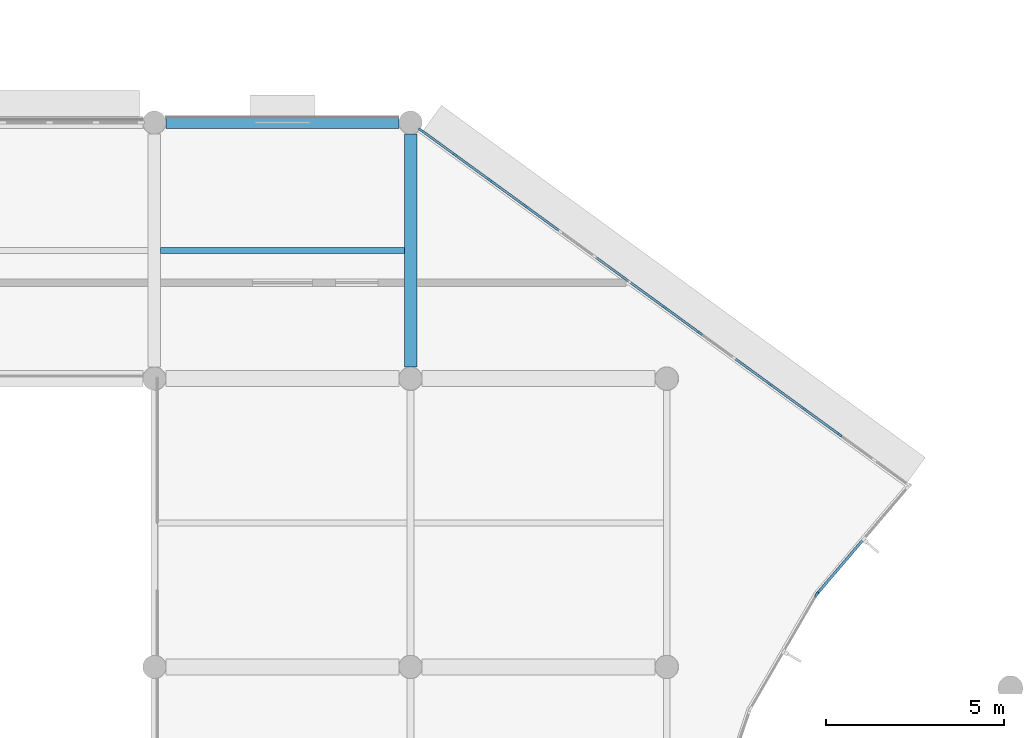
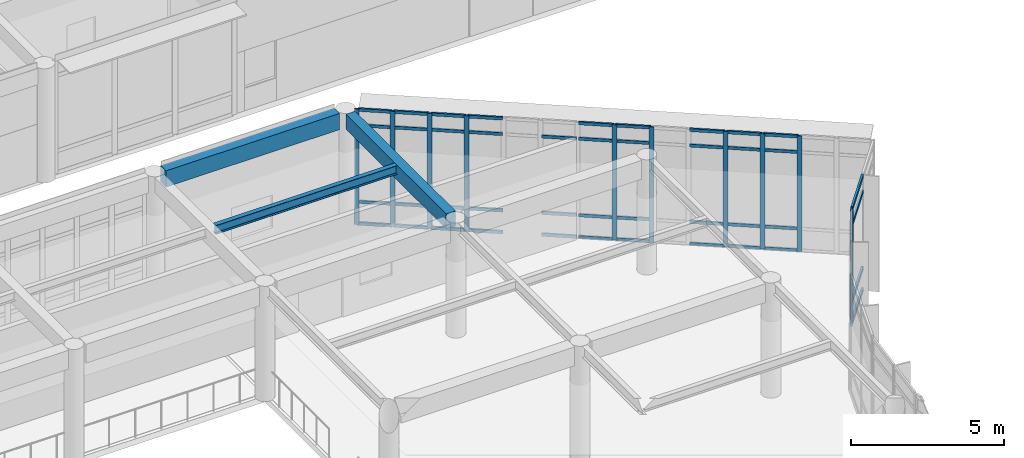
# One storey, part 19 of 92: 54 members, 3 beams, 3 elements without a shape of their own.
"""IFC4 building model written with IfcOpenShell, lengths in metres."""

from ifc_helpers import new_model, si_unit, direction, frame, origin, origin_2d, place, context, subcontext, project, spatial, rectangle, i_section, extrude, material, layer, layer_set, material_profile, profile_set, type_object, element, aggregate, save


model = new_model("IFC4")

# Units and contexts
model_context = context("Model", 3, precision=1e-05, world=origin(), true_north=direction((0.0, 1.0)))
body_context = subcontext(model_context, "Body", "Model", "MODEL_VIEW")
ifc_project = project(units=[si_unit("LENGTHUNIT", "METRE"), si_unit("AREAUNIT", "SQUARE_METRE"), si_unit("VOLUMEUNIT", "CUBIC_METRE"), si_unit("PLANEANGLEUNIT", "RADIAN"), si_unit("MASSUNIT", "GRAM", prefix="KILO")], contexts=[model_context])

# Site, building, storey
site_placement = place(None, origin())
site = spatial("IfcSite", under=ifc_project, at=site_placement, CompositionType="ELEMENT")
building_placement = place(site_placement, origin())
building = spatial("IfcBuilding", under=site, at=building_placement, Name="Namkhue Oval Health Centre", CompositionType="ELEMENT")
storey_placement = place(building_placement, frame((0.0, 0.0, 4.800048828125)))
storey = spatial("IfcBuildingStorey", under=building, at=storey_placement, Name="L01", CompositionType="ELEMENT", Elevation=4.800048828125)

# Curtain wall, member
ifc_material_1 = material(Name="Anodised aluminium EN AW-6063 T6", Category="aluminium")
ifc_layer_1 = layer(ifc_material_1, 0.159912109375)
ifc_layer_set_1 = layer_set([ifc_layer_1], Name="Anodised aluminium EN AW-6063 T6")
curtain_wall_type_1 = type_object("IfcCurtainWallType", Name="UNITISED CURTAIN WALL M1800", PredefinedType="NOTDEFINED", material=ifc_layer_set_1)
curtain_wall_1_placement = place(storey_placement, origin())
curtain_wall_1 = element("IfcCurtainWall", 1, at=curtain_wall_1_placement, inside=storey, type_object=curtain_wall_type_1, Name="Volume V1 L01 Unitised Curtain Wall 29", PredefinedType="NOTDEFINED")
ifc_material_profile_1 = material_profile(ifc_material_1, rectangle(XDim=0.06494140625, YDim=0.159912109375, at=origin_2d()), Name="ALU 65x160")
ifc_profile_set_1 = profile_set([ifc_material_profile_1], Name="Anodised aluminium EN AW-6063 T6")
member_type_1 = type_object("IfcMemberType", Name="CURTAIN WALL MULLION 65X160", PredefinedType="MULLION", material=ifc_profile_set_1)
member_1_placement = place(storey_placement, frame((69.0126953125, 69.531982421875, 0.0), z_axis=(0.0, 0.0, 1.0), x_axis=(-0.865008156752, 0.501757798896, 0.0)))
member_1 = element("IfcMember", 2, at=member_1_placement, type_object=member_type_1, Name="CW-05 mullion 3", PredefinedType="MULLION", context=body_context, shape_type="SweptSolid", body=[
    extrude(rectangle(XDim=0.06494140625, YDim=0.159912109375, at=origin_2d()), origin(), (0.0, 0.0, 1.0), 4.599853515625),
])
aggregate(curtain_wall_1, [member_1])

# Curtain wall, members
ifc_layer_2 = layer(ifc_material_1, 0.159912109375)
ifc_layer_set_2 = layer_set([ifc_layer_2], Name="Anodised aluminium EN AW-6063 T6")
curtain_wall_type_2 = type_object("IfcCurtainWallType", Name="UNITISED CURTAIN WALL M1200", PredefinedType="NOTDEFINED", material=ifc_layer_set_2)
curtain_wall_2_placement = place(storey_placement, origin())
curtain_wall_2 = element("IfcCurtainWall", 3, at=curtain_wall_2_placement, inside=storey, type_object=curtain_wall_type_2, Name="Volume V1 L01 Unitised Curtain Wall 31", PredefinedType="NOTDEFINED")
member_2_placement = place(storey_placement, frame((69.654052734375, 74.0263671875, 0.0), z_axis=(0.0, 0.0, 1.0), x_axis=(-0.588476942894, -0.808513999682, 0.0)))
member_2 = element("IfcMember", 4, at=member_2_placement, type_object=member_type_1, Name="CW-01 mullion 3", PredefinedType="MULLION", context=body_context, shape_type="SweptSolid", body=[
    extrude(rectangle(XDim=0.06494140625, YDim=0.159912109375, at=origin_2d()), origin(), (0.0, 0.0, 1.0), 4.599853515625),
])
member_3_placement = place(storey_placement, frame((68.672119140625, 74.7412109375, 0.0), z_axis=(0.0, 0.0, 1.0), x_axis=(-0.588476942894, -0.808513999682, 0.0)))
member_3 = element("IfcMember", 5, at=member_3_placement, type_object=member_type_1, Name="CW-01 mullion 4", PredefinedType="MULLION", context=body_context, shape_type="SweptSolid", body=[
    extrude(rectangle(XDim=0.06494140625, YDim=0.159912109375, at=origin_2d()), origin(), (0.0, 0.0, 1.0), 4.599853515625),
])
member_4_placement = place(storey_placement, frame((67.690185546875, 75.455810546875, 0.0), z_axis=(0.0, 0.0, 1.0), x_axis=(-0.588476942894, -0.808513999682, 0.0)))
member_4 = element("IfcMember", 6, at=member_4_placement, type_object=member_type_1, Name="CW-01 mullion 5", PredefinedType="MULLION", context=body_context, shape_type="SweptSolid", body=[
    extrude(rectangle(XDim=0.06494140625, YDim=0.159912109375, at=origin_2d()), origin(), (0.0, 0.0, 1.0), 4.599853515625),
])
member_5_placement = place(storey_placement, frame((65.726318359375, 76.88525390625, 0.0), z_axis=(0.0, 0.0, 1.0), x_axis=(-0.588476942894, -0.808513999682, 0.0)))
member_5 = element("IfcMember", 7, at=member_5_placement, type_object=member_type_1, Name="CW-01 mullion 7", PredefinedType="MULLION", context=body_context, shape_type="SweptSolid", body=[
    extrude(rectangle(XDim=0.06494140625, YDim=0.159912109375, at=origin_2d()), origin(), (0.0, 0.0, 1.0), 4.599853515625),
])
member_6_placement = place(storey_placement, frame((64.744384765625, 77.599853515625, 0.0), z_axis=(0.0, 0.0, 1.0), x_axis=(-0.588476942894, -0.808513999682, 0.0)))
member_6 = element("IfcMember", 8, at=member_6_placement, type_object=member_type_1, Name="CW-01 mullion 8", PredefinedType="MULLION", context=body_context, shape_type="SweptSolid", body=[
    extrude(rectangle(XDim=0.06494140625, YDim=0.159912109375, at=origin_2d()), origin(), (0.0, 0.0, 1.0), 4.599853515625),
])
member_7_placement = place(storey_placement, frame((60.816650390625, 80.458740234375, 0.0), z_axis=(0.0, 0.0, 1.0), x_axis=(-0.588476942894, -0.808513999682, 0.0)))
member_7 = element("IfcMember", 9, at=member_7_placement, type_object=member_type_1, Name="CW-01 mullion 12", PredefinedType="MULLION", context=body_context, shape_type="SweptSolid", body=[
    extrude(rectangle(XDim=0.06494140625, YDim=0.159912109375, at=origin_2d()), origin(), (0.0, 0.0, 1.0), 4.599853515625),
])
member_8_placement = place(storey_placement, frame((59.834716796875, 81.173583984375, 0.0), z_axis=(0.0, 0.0, 1.0), x_axis=(-0.588476942894, -0.808513999682, 0.0)))
member_8 = element("IfcMember", 10, at=member_8_placement, type_object=member_type_1, Name="CW-01 mullion 13", PredefinedType="MULLION", context=body_context, shape_type="SweptSolid", body=[
    extrude(rectangle(XDim=0.06494140625, YDim=0.159912109375, at=origin_2d()), origin(), (0.0, 0.0, 1.0), 4.599853515625),
])
member_9_placement = place(storey_placement, frame((58.852783203125, 81.88818359375, 0.0), z_axis=(0.0, 0.0, 1.0), x_axis=(-0.588476942894, -0.808513999682, 0.0)))
member_9 = element("IfcMember", 11, at=member_9_placement, type_object=member_type_1, Name="CW-01 mullion 14", PredefinedType="MULLION", context=body_context, shape_type="SweptSolid", body=[
    extrude(rectangle(XDim=0.06494140625, YDim=0.159912109375, at=origin_2d()), origin(), (0.0, 0.0, 1.0), 4.599853515625),
])
member_10_placement = place(storey_placement, frame((57.89697265625, 82.583740234375, 0.0), z_axis=(0.0, 0.0, 1.0), x_axis=(-0.588476942894, -0.808513999682, 0.0)))
member_10 = element("IfcMember", 12, at=member_10_placement, type_object=member_type_1, Name="CW-01 mullion 15", PredefinedType="MULLION", context=body_context, shape_type="SweptSolid", body=[
    extrude(rectangle(XDim=0.06494140625, YDim=0.159912109375, at=origin_2d()), origin(), (0.0, 0.0, 1.0), 4.599853515625),
])

# Curtain wall, member
ifc_layer_3 = layer(ifc_material_1, 0.159912109375)
ifc_layer_set_3 = layer_set([ifc_layer_3], Name="Anodised aluminium EN AW-6063 T6")
curtain_wall_type_3 = type_object("IfcCurtainWallType", Name="UNITISED CURTAIN WALL M2000", PredefinedType="NOTDEFINED", material=ifc_layer_set_3)
curtain_wall_3_placement = place(storey_placement, origin())
curtain_wall_3 = element("IfcCurtainWall", 13, at=curtain_wall_3_placement, inside=storey, type_object=curtain_wall_type_3, Name="Volume V1 L01 Unitised Curtain Wall 30", PredefinedType="NOTDEFINED")
ifc_material_profile_2 = material_profile(ifc_material_1, rectangle(XDim=0.074951171875, YDim=0.199951171875, at=origin_2d()), Name="ALU 75x200")
ifc_profile_set_2 = profile_set([ifc_material_profile_2], Name="Anodised aluminium EN AW-6063 T6")
member_type_2 = type_object("IfcMemberType", Name="CURTAIN WALL MULLION 75X200", PredefinedType="MULLION", material=ifc_profile_set_2)
member_11_placement = place(storey_placement, frame((69.05322265625, 69.588623046875, 0.0), z_axis=(0.0, 0.0, 1.0), x_axis=(-0.761004950887, 0.648746071067, 0.0)))
member_11 = element("IfcMember", 14, at=member_11_placement, type_object=member_type_2, Name="CW-06 mullion 1", PredefinedType="MULLION", context=body_context, shape_type="SweptSolid", body=[
    extrude(rectangle(XDim=0.074951171875, YDim=0.199951171875, at=origin_2d()), origin(), (0.0, 0.0, 1.0), 4.599853515625),
])

# Member
ifc_material_profile_3 = material_profile(ifc_material_1, rectangle(XDim=0.06494140625, YDim=0.1201171875, at=origin_2d()), Name="ALU 65x120")
ifc_profile_set_3 = profile_set([ifc_material_profile_3], Name="Anodised aluminium EN AW-6063 T6")
member_type_3 = type_object("IfcMemberType", Name="CURTAIN WALL TRANSOM 65X120", PredefinedType="USERDEFINED", material=ifc_profile_set_3)
member_12_placement = place(storey_placement, frame((69.6279296875, 74.045654296875, 0.032470703125), z_axis=(-0.80860747676, 0.588348492415, 0.0), x_axis=(-0.588348492415, -0.80860747676, 0.0)))
member_12 = element("IfcMember", 15, at=member_12_placement, type_object=member_type_3, Name="CW-01 transom 3.1", ObjectType="TRANSOM", PredefinedType="USERDEFINED", context=body_context, shape_type="SweptSolid", body=[
    extrude(rectangle(XDim=0.06494140625, YDim=0.1201171875, at=origin_2d()), origin(), (0.0, 0.0, 1.0), 1.1494140625),
])

member_13_placement = place(storey_placement, frame((69.6279296875, 74.045654296875, 0.89990234375), z_axis=(-0.80860747676, 0.588348492415, 0.0), x_axis=(-0.588348492415, -0.80860747676, 0.0)))
member_13 = element("IfcMember", 16, at=member_13_placement, type_object=member_type_3, Name="CW-01 transom 3.2", ObjectType="TRANSOM", PredefinedType="USERDEFINED", context=body_context, shape_type="SweptSolid", body=[
    extrude(rectangle(XDim=0.06494140625, YDim=0.1201171875, at=origin_2d()), origin(), (0.0, 0.0, 1.0), 1.1494140625),
])

member_14_placement = place(storey_placement, frame((69.6279296875, 74.045654296875, 3.949951171875), z_axis=(-0.80860747676, 0.588348492415, 0.0), x_axis=(-0.588348492415, -0.80860747676, 0.0)))
member_14 = element("IfcMember", 17, at=member_14_placement, type_object=member_type_3, Name="CW-01 transom 3.3", ObjectType="TRANSOM", PredefinedType="USERDEFINED", context=body_context, shape_type="SweptSolid", body=[
    extrude(rectangle(XDim=0.06494140625, YDim=0.1201171875, at=origin_2d()), origin(), (0.0, 0.0, 1.0), 1.1494140625),
])

member_15_placement = place(storey_placement, frame((69.6279296875, 74.045654296875, 4.5673828125), z_axis=(-0.80860747676, 0.588348492415, 0.0), x_axis=(-0.588348492415, -0.80860747676, 0.0)))
member_15 = element("IfcMember", 18, at=member_15_placement, type_object=member_type_3, Name="CW-01 transom 3.4", ObjectType="TRANSOM", PredefinedType="USERDEFINED", context=body_context, shape_type="SweptSolid", body=[
    extrude(rectangle(XDim=0.06494140625, YDim=0.1201171875, at=origin_2d()), origin(), (0.0, 0.0, 1.0), 1.1494140625),
])

member_16_placement = place(storey_placement, frame((68.64599609375, 74.76025390625, 0.032470703125), z_axis=(-0.808506429569, 0.588487343403, 0.0), x_axis=(-0.588487343403, -0.808506429569, 0.0)))
member_16 = element("IfcMember", 19, at=member_16_placement, type_object=member_type_3, Name="CW-01 transom 4.1", ObjectType="TRANSOM", PredefinedType="USERDEFINED", context=body_context, shape_type="SweptSolid", body=[
    extrude(rectangle(XDim=0.06494140625, YDim=0.1201171875, at=origin_2d()), origin(), (0.0, 0.0, 1.0), 1.149658203125),
])

member_17_placement = place(storey_placement, frame((68.64599609375, 74.76025390625, 0.89990234375), z_axis=(-0.808506429569, 0.588487343403, 0.0), x_axis=(-0.588487343403, -0.808506429569, 0.0)))
member_17 = element("IfcMember", 20, at=member_17_placement, type_object=member_type_3, Name="CW-01 transom 4.2", ObjectType="TRANSOM", PredefinedType="USERDEFINED", context=body_context, shape_type="SweptSolid", body=[
    extrude(rectangle(XDim=0.06494140625, YDim=0.1201171875, at=origin_2d()), origin(), (0.0, 0.0, 1.0), 1.149658203125),
])

member_18_placement = place(storey_placement, frame((68.64599609375, 74.76025390625, 3.949951171875), z_axis=(-0.808506429569, 0.588487343403, 0.0), x_axis=(-0.588487343403, -0.808506429569, 0.0)))
member_18 = element("IfcMember", 21, at=member_18_placement, type_object=member_type_3, Name="CW-01 transom 4.3", ObjectType="TRANSOM", PredefinedType="USERDEFINED", context=body_context, shape_type="SweptSolid", body=[
    extrude(rectangle(XDim=0.06494140625, YDim=0.1201171875, at=origin_2d()), origin(), (0.0, 0.0, 1.0), 1.149658203125),
])

member_19_placement = place(storey_placement, frame((68.64599609375, 74.76025390625, 4.5673828125), z_axis=(-0.808506429569, 0.588487343403, 0.0), x_axis=(-0.588487343403, -0.808506429569, 0.0)))
member_19 = element("IfcMember", 22, at=member_19_placement, type_object=member_type_3, Name="CW-01 transom 4.4", ObjectType="TRANSOM", PredefinedType="USERDEFINED", context=body_context, shape_type="SweptSolid", body=[
    extrude(rectangle(XDim=0.06494140625, YDim=0.1201171875, at=origin_2d()), origin(), (0.0, 0.0, 1.0), 1.149658203125),
])

member_20_placement = place(storey_placement, frame((67.6640625, 75.474853515625, 0.032470703125), z_axis=(-0.808506429569, 0.588487343403, 0.0), x_axis=(-0.588487343403, -0.808506429569, 0.0)))
member_20 = element("IfcMember", 23, at=member_20_placement, type_object=member_type_3, Name="CW-01 transom 5.1", ObjectType="TRANSOM", PredefinedType="USERDEFINED", context=body_context, shape_type="SweptSolid", body=[
    extrude(rectangle(XDim=0.06494140625, YDim=0.1201171875, at=origin_2d()), origin(), (0.0, 0.0, 1.0), 1.149658203125),
])

member_21_placement = place(storey_placement, frame((67.6640625, 75.474853515625, 0.89990234375), z_axis=(-0.808506429569, 0.588487343403, 0.0), x_axis=(-0.588487343403, -0.808506429569, 0.0)))
member_21 = element("IfcMember", 24, at=member_21_placement, type_object=member_type_3, Name="CW-01 transom 5.2", ObjectType="TRANSOM", PredefinedType="USERDEFINED", context=body_context, shape_type="SweptSolid", body=[
    extrude(rectangle(XDim=0.06494140625, YDim=0.1201171875, at=origin_2d()), origin(), (0.0, 0.0, 1.0), 1.149658203125),
])

member_22_placement = place(storey_placement, frame((67.6640625, 75.474853515625, 3.949951171875), z_axis=(-0.808506429569, 0.588487343403, 0.0), x_axis=(-0.588487343403, -0.808506429569, 0.0)))
member_22 = element("IfcMember", 25, at=member_22_placement, type_object=member_type_3, Name="CW-01 transom 5.3", ObjectType="TRANSOM", PredefinedType="USERDEFINED", context=body_context, shape_type="SweptSolid", body=[
    extrude(rectangle(XDim=0.06494140625, YDim=0.1201171875, at=origin_2d()), origin(), (0.0, 0.0, 1.0), 1.149658203125),
])

member_23_placement = place(storey_placement, frame((67.6640625, 75.474853515625, 4.5673828125), z_axis=(-0.808506429569, 0.588487343403, 0.0), x_axis=(-0.588487343403, -0.808506429569, 0.0)))
member_23 = element("IfcMember", 26, at=member_23_placement, type_object=member_type_3, Name="CW-01 transom 5.4", ObjectType="TRANSOM", PredefinedType="USERDEFINED", context=body_context, shape_type="SweptSolid", body=[
    extrude(rectangle(XDim=0.06494140625, YDim=0.1201171875, at=origin_2d()), origin(), (0.0, 0.0, 1.0), 1.149658203125),
])

member_24_placement = place(storey_placement, frame((65.699951171875, 76.904296875, 0.032470703125), z_axis=(-0.808432861947, 0.588588402642, 0.0), x_axis=(-0.588588402642, -0.808432861947, 0.0)))
member_24 = element("IfcMember", 27, at=member_24_placement, type_object=member_type_3, Name="CW-01 transom 7.1", ObjectType="TRANSOM", PredefinedType="USERDEFINED", context=body_context, shape_type="SweptSolid", body=[
    extrude(rectangle(XDim=0.06494140625, YDim=0.1201171875, at=origin_2d()), origin(), (0.0, 0.0, 1.0), 1.1494140625),
])

member_25_placement = place(storey_placement, frame((65.699951171875, 76.904296875, 0.89990234375), z_axis=(-0.808432861947, 0.588588402642, 0.0), x_axis=(-0.588588402642, -0.808432861947, 0.0)))
member_25 = element("IfcMember", 28, at=member_25_placement, type_object=member_type_3, Name="CW-01 transom 7.2", ObjectType="TRANSOM", PredefinedType="USERDEFINED", context=body_context, shape_type="SweptSolid", body=[
    extrude(rectangle(XDim=0.06494140625, YDim=0.1201171875, at=origin_2d()), origin(), (0.0, 0.0, 1.0), 1.1494140625),
])

member_26_placement = place(storey_placement, frame((65.699951171875, 76.904296875, 3.949951171875), z_axis=(-0.808432861947, 0.588588402642, 0.0), x_axis=(-0.588588402642, -0.808432861947, 0.0)))
member_26 = element("IfcMember", 29, at=member_26_placement, type_object=member_type_3, Name="CW-01 transom 7.3", ObjectType="TRANSOM", PredefinedType="USERDEFINED", context=body_context, shape_type="SweptSolid", body=[
    extrude(rectangle(XDim=0.06494140625, YDim=0.1201171875, at=origin_2d()), origin(), (0.0, 0.0, 1.0), 1.1494140625),
])

member_27_placement = place(storey_placement, frame((65.699951171875, 76.904296875, 4.5673828125), z_axis=(-0.808432861947, 0.588588402642, 0.0), x_axis=(-0.588588402642, -0.808432861947, 0.0)))
member_27 = element("IfcMember", 30, at=member_27_placement, type_object=member_type_3, Name="CW-01 transom 7.4", ObjectType="TRANSOM", PredefinedType="USERDEFINED", context=body_context, shape_type="SweptSolid", body=[
    extrude(rectangle(XDim=0.06494140625, YDim=0.1201171875, at=origin_2d()), origin(), (0.0, 0.0, 1.0), 1.1494140625),
])

member_28_placement = place(storey_placement, frame((64.718017578125, 77.619140625, 0.032470703125), z_axis=(-0.808533934655, 0.588449553073, 0.0), x_axis=(-0.588449553073, -0.808533934655, 0.0)))
member_28 = element("IfcMember", 31, at=member_28_placement, type_object=member_type_3, Name="CW-01 transom 8.1", ObjectType="TRANSOM", PredefinedType="USERDEFINED", context=body_context, shape_type="SweptSolid", body=[
    extrude(rectangle(XDim=0.06494140625, YDim=0.1201171875, at=origin_2d()), origin(), (0.0, 0.0, 1.0), 1.149169921875),
])

member_29_placement = place(storey_placement, frame((64.718017578125, 77.619140625, 0.89990234375), z_axis=(-0.808533934655, 0.588449553073, 0.0), x_axis=(-0.588449553073, -0.808533934655, 0.0)))
member_29 = element("IfcMember", 32, at=member_29_placement, type_object=member_type_3, Name="CW-01 transom 8.2", ObjectType="TRANSOM", PredefinedType="USERDEFINED", context=body_context, shape_type="SweptSolid", body=[
    extrude(rectangle(XDim=0.06494140625, YDim=0.1201171875, at=origin_2d()), origin(), (0.0, 0.0, 1.0), 1.149169921875),
])

member_30_placement = place(storey_placement, frame((64.718017578125, 77.619140625, 3.949951171875), z_axis=(-0.808533934655, 0.588449553073, 0.0), x_axis=(-0.588449553073, -0.808533934655, 0.0)))
member_30 = element("IfcMember", 33, at=member_30_placement, type_object=member_type_3, Name="CW-01 transom 8.3", ObjectType="TRANSOM", PredefinedType="USERDEFINED", context=body_context, shape_type="SweptSolid", body=[
    extrude(rectangle(XDim=0.06494140625, YDim=0.1201171875, at=origin_2d()), origin(), (0.0, 0.0, 1.0), 1.149169921875),
])

member_31_placement = place(storey_placement, frame((64.718017578125, 77.619140625, 4.5673828125), z_axis=(-0.808533934655, 0.588449553073, 0.0), x_axis=(-0.588449553073, -0.808533934655, 0.0)))
member_31 = element("IfcMember", 34, at=member_31_placement, type_object=member_type_3, Name="CW-01 transom 8.4", ObjectType="TRANSOM", PredefinedType="USERDEFINED", context=body_context, shape_type="SweptSolid", body=[
    extrude(rectangle(XDim=0.06494140625, YDim=0.1201171875, at=origin_2d()), origin(), (0.0, 0.0, 1.0), 1.149169921875),
])

member_32_placement = place(storey_placement, frame((63.736083984375, 78.333740234375, 0.032470703125), z_axis=(-0.808432861947, 0.588588402642, 0.0), x_axis=(-0.588588402642, -0.808432861947, 0.0)))
member_32 = element("IfcMember", 35, at=member_32_placement, type_object=member_type_3, Name="CW-01 transom 9.1", ObjectType="TRANSOM", PredefinedType="USERDEFINED", context=body_context, shape_type="SweptSolid", body=[
    extrude(rectangle(XDim=0.06494140625, YDim=0.1201171875, at=origin_2d()), origin(), (0.0, 0.0, 1.0), 1.1494140625),
])

member_33_placement = place(storey_placement, frame((63.736083984375, 78.333740234375, 0.89990234375), z_axis=(-0.808432861947, 0.588588402642, 0.0), x_axis=(-0.588588402642, -0.808432861947, 0.0)))
member_33 = element("IfcMember", 36, at=member_33_placement, type_object=member_type_3, Name="CW-01 transom 9.2", ObjectType="TRANSOM", PredefinedType="USERDEFINED", context=body_context, shape_type="SweptSolid", body=[
    extrude(rectangle(XDim=0.06494140625, YDim=0.1201171875, at=origin_2d()), origin(), (0.0, 0.0, 1.0), 1.1494140625),
])

member_34_placement = place(storey_placement, frame((63.736083984375, 78.333740234375, 3.949951171875), z_axis=(-0.808432861947, 0.588588402642, 0.0), x_axis=(-0.588588402642, -0.808432861947, 0.0)))
member_34 = element("IfcMember", 37, at=member_34_placement, type_object=member_type_3, Name="CW-01 transom 9.3", ObjectType="TRANSOM", PredefinedType="USERDEFINED", context=body_context, shape_type="SweptSolid", body=[
    extrude(rectangle(XDim=0.06494140625, YDim=0.1201171875, at=origin_2d()), origin(), (0.0, 0.0, 1.0), 1.1494140625),
])

member_35_placement = place(storey_placement, frame((61.772216796875, 79.76318359375, 0.032470703125), z_axis=(-0.808432861947, 0.588588402642, 0.0), x_axis=(-0.588588402642, -0.808432861947, 0.0)))
member_35 = element("IfcMember", 38, at=member_35_placement, type_object=member_type_3, Name="CW-01 transom 11.1", ObjectType="TRANSOM", PredefinedType="USERDEFINED", context=body_context, shape_type="SweptSolid", body=[
    extrude(rectangle(XDim=0.06494140625, YDim=0.1201171875, at=origin_2d()), origin(), (0.0, 0.0, 1.0), 1.1494140625),
])

member_36_placement = place(storey_placement, frame((61.772216796875, 79.76318359375, 0.89990234375), z_axis=(-0.808432861947, 0.588588402642, 0.0), x_axis=(-0.588588402642, -0.808432861947, 0.0)))
member_36 = element("IfcMember", 39, at=member_36_placement, type_object=member_type_3, Name="CW-01 transom 11.2", ObjectType="TRANSOM", PredefinedType="USERDEFINED", context=body_context, shape_type="SweptSolid", body=[
    extrude(rectangle(XDim=0.06494140625, YDim=0.1201171875, at=origin_2d()), origin(), (0.0, 0.0, 1.0), 1.1494140625),
])

member_37_placement = place(storey_placement, frame((61.772216796875, 79.76318359375, 3.949951171875), z_axis=(-0.808432861947, 0.588588402642, 0.0), x_axis=(-0.588588402642, -0.808432861947, 0.0)))
member_37 = element("IfcMember", 40, at=member_37_placement, type_object=member_type_3, Name="CW-01 transom 11.3", ObjectType="TRANSOM", PredefinedType="USERDEFINED", context=body_context, shape_type="SweptSolid", body=[
    extrude(rectangle(XDim=0.06494140625, YDim=0.1201171875, at=origin_2d()), origin(), (0.0, 0.0, 1.0), 1.1494140625),
])

member_38_placement = place(storey_placement, frame((61.772216796875, 79.76318359375, 4.5673828125), z_axis=(-0.808432861947, 0.588588402642, 0.0), x_axis=(-0.588588402642, -0.808432861947, 0.0)))
member_38 = element("IfcMember", 41, at=member_38_placement, type_object=member_type_3, Name="CW-01 transom 11.4", ObjectType="TRANSOM", PredefinedType="USERDEFINED", context=body_context, shape_type="SweptSolid", body=[
    extrude(rectangle(XDim=0.06494140625, YDim=0.1201171875, at=origin_2d()), origin(), (0.0, 0.0, 1.0), 1.1494140625),
])

member_39_placement = place(storey_placement, frame((60.790283203125, 80.477783203125, 0.032470703125), z_axis=(-0.808432861947, 0.588588402642, 0.0), x_axis=(-0.588588402642, -0.808432861947, 0.0)))
member_39 = element("IfcMember", 42, at=member_39_placement, type_object=member_type_3, Name="CW-01 transom 12.1", ObjectType="TRANSOM", PredefinedType="USERDEFINED", context=body_context, shape_type="SweptSolid", body=[
    extrude(rectangle(XDim=0.06494140625, YDim=0.1201171875, at=origin_2d()), origin(), (0.0, 0.0, 1.0), 1.1494140625),
])

member_40_placement = place(storey_placement, frame((60.790283203125, 80.477783203125, 0.89990234375), z_axis=(-0.808432861947, 0.588588402642, 0.0), x_axis=(-0.588588402642, -0.808432861947, 0.0)))
member_40 = element("IfcMember", 43, at=member_40_placement, type_object=member_type_3, Name="CW-01 transom 12.2", ObjectType="TRANSOM", PredefinedType="USERDEFINED", context=body_context, shape_type="SweptSolid", body=[
    extrude(rectangle(XDim=0.06494140625, YDim=0.1201171875, at=origin_2d()), origin(), (0.0, 0.0, 1.0), 1.1494140625),
])

member_41_placement = place(storey_placement, frame((60.790283203125, 80.477783203125, 3.949951171875), z_axis=(-0.808432861947, 0.588588402642, 0.0), x_axis=(-0.588588402642, -0.808432861947, 0.0)))
member_41 = element("IfcMember", 44, at=member_41_placement, type_object=member_type_3, Name="CW-01 transom 12.3", ObjectType="TRANSOM", PredefinedType="USERDEFINED", context=body_context, shape_type="SweptSolid", body=[
    extrude(rectangle(XDim=0.06494140625, YDim=0.1201171875, at=origin_2d()), origin(), (0.0, 0.0, 1.0), 1.1494140625),
])

member_42_placement = place(storey_placement, frame((60.790283203125, 80.477783203125, 4.5673828125), z_axis=(-0.808432861947, 0.588588402642, 0.0), x_axis=(-0.588588402642, -0.808432861947, 0.0)))
member_42 = element("IfcMember", 45, at=member_42_placement, type_object=member_type_3, Name="CW-01 transom 12.4", ObjectType="TRANSOM", PredefinedType="USERDEFINED", context=body_context, shape_type="SweptSolid", body=[
    extrude(rectangle(XDim=0.06494140625, YDim=0.1201171875, at=origin_2d()), origin(), (0.0, 0.0, 1.0), 1.1494140625),
])

member_43_placement = place(storey_placement, frame((59.808349609375, 81.192626953125, 0.032470703125), z_axis=(-0.808506429569, 0.588487343403, 0.0), x_axis=(-0.588487343403, -0.808506429569, 0.0)))
member_43 = element("IfcMember", 46, at=member_43_placement, type_object=member_type_3, Name="CW-01 transom 13.1", ObjectType="TRANSOM", PredefinedType="USERDEFINED", context=body_context, shape_type="SweptSolid", body=[
    extrude(rectangle(XDim=0.06494140625, YDim=0.1201171875, at=origin_2d()), origin(), (0.0, 0.0, 1.0), 1.149658203125),
])

member_44_placement = place(storey_placement, frame((59.808349609375, 81.192626953125, 0.89990234375), z_axis=(-0.808506429569, 0.588487343403, 0.0), x_axis=(-0.588487343403, -0.808506429569, 0.0)))
member_44 = element("IfcMember", 47, at=member_44_placement, type_object=member_type_3, Name="CW-01 transom 13.2", ObjectType="TRANSOM", PredefinedType="USERDEFINED", context=body_context, shape_type="SweptSolid", body=[
    extrude(rectangle(XDim=0.06494140625, YDim=0.1201171875, at=origin_2d()), origin(), (0.0, 0.0, 1.0), 1.149658203125),
])

member_45_placement = place(storey_placement, frame((59.808349609375, 81.192626953125, 3.949951171875), z_axis=(-0.808506429569, 0.588487343403, 0.0), x_axis=(-0.588487343403, -0.808506429569, 0.0)))
member_45 = element("IfcMember", 48, at=member_45_placement, type_object=member_type_3, Name="CW-01 transom 13.3", ObjectType="TRANSOM", PredefinedType="USERDEFINED", context=body_context, shape_type="SweptSolid", body=[
    extrude(rectangle(XDim=0.06494140625, YDim=0.1201171875, at=origin_2d()), origin(), (0.0, 0.0, 1.0), 1.149658203125),
])

member_46_placement = place(storey_placement, frame((59.808349609375, 81.192626953125, 4.5673828125), z_axis=(-0.808506429569, 0.588487343403, 0.0), x_axis=(-0.588487343403, -0.808506429569, 0.0)))
member_46 = element("IfcMember", 49, at=member_46_placement, type_object=member_type_3, Name="CW-01 transom 13.4", ObjectType="TRANSOM", PredefinedType="USERDEFINED", context=body_context, shape_type="SweptSolid", body=[
    extrude(rectangle(XDim=0.06494140625, YDim=0.1201171875, at=origin_2d()), origin(), (0.0, 0.0, 1.0), 1.149658203125),
])

member_47_placement = place(storey_placement, frame((58.826416015625, 81.9072265625, 0.032470703125), z_axis=(-0.80844299921, 0.588574478744, 0.0), x_axis=(-0.588574478744, -0.80844299921, 0.0)))
member_47 = element("IfcMember", 50, at=member_47_placement, type_object=member_type_3, Name="CW-01 transom 14.1", ObjectType="TRANSOM", PredefinedType="USERDEFINED", context=body_context, shape_type="SweptSolid", body=[
    extrude(rectangle(XDim=0.06494140625, YDim=0.1201171875, at=origin_2d()), origin(), (0.0, 0.0, 1.0), 1.116943359375),
])

member_48_placement = place(storey_placement, frame((58.826416015625, 81.9072265625, 0.89990234375), z_axis=(-0.80844299921, 0.588574478744, 0.0), x_axis=(-0.588574478744, -0.80844299921, 0.0)))
member_48 = element("IfcMember", 51, at=member_48_placement, type_object=member_type_3, Name="CW-01 transom 14.2", ObjectType="TRANSOM", PredefinedType="USERDEFINED", context=body_context, shape_type="SweptSolid", body=[
    extrude(rectangle(XDim=0.06494140625, YDim=0.1201171875, at=origin_2d()), origin(), (0.0, 0.0, 1.0), 1.116943359375),
])

member_49_placement = place(storey_placement, frame((58.826416015625, 81.9072265625, 3.949951171875), z_axis=(-0.80844299921, 0.588574478744, 0.0), x_axis=(-0.588574478744, -0.80844299921, 0.0)))
member_49 = element("IfcMember", 52, at=member_49_placement, type_object=member_type_3, Name="CW-01 transom 14.3", ObjectType="TRANSOM", PredefinedType="USERDEFINED", context=body_context, shape_type="SweptSolid", body=[
    extrude(rectangle(XDim=0.06494140625, YDim=0.1201171875, at=origin_2d()), origin(), (0.0, 0.0, 1.0), 1.116943359375),
])

member_50_placement = place(storey_placement, frame((58.826416015625, 81.9072265625, 4.5673828125), z_axis=(-0.80844299921, 0.588574478744, 0.0), x_axis=(-0.588574478744, -0.80844299921, 0.0)))
member_50 = element("IfcMember", 53, at=member_50_placement, type_object=member_type_3, Name="CW-01 transom 14.4", ObjectType="TRANSOM", PredefinedType="USERDEFINED", context=body_context, shape_type="SweptSolid", body=[
    extrude(rectangle(XDim=0.06494140625, YDim=0.1201171875, at=origin_2d()), origin(), (0.0, 0.0, 1.0), 1.116943359375),
])

aggregate(curtain_wall_2, [member_2, member_3, member_4, member_5, member_6, member_7, member_8, member_9, member_10, member_12, member_13, member_14, member_15, member_16, member_17, member_18, member_19, member_20, member_21, member_22, member_23, member_24, member_25, member_26, member_27, member_28, member_29, member_30, member_31, member_32, member_33, member_34, member_35, member_36, member_37, member_38, member_39, member_40, member_41, member_42, member_43, member_44, member_45, member_46, member_47, member_48, member_49, member_50])

ifc_material_profile_4 = material_profile(ifc_material_1, rectangle(XDim=0.074951171875, YDim=0.14990234375, at=origin_2d()), Name="ALU 75x150")
ifc_profile_set_4 = profile_set([ifc_material_profile_4], Name="Anodised aluminium EN AW-6063 T6")
member_type_4 = type_object("IfcMemberType", Name="CURTAIN WALL TRANSOM 75X150", PredefinedType="USERDEFINED", material=ifc_profile_set_4)
member_51_placement = place(storey_placement, frame((69.07763671875, 69.6171875, 0.037353515625), z_axis=(0.648728020556, 0.761020338326, 0.0), x_axis=(-0.761020338326, 0.648728020556, 0.0)))
member_51 = element("IfcMember", 54, at=member_51_placement, type_object=member_type_4, Name="CW-06 transom 1.1", ObjectType="TRANSOM", PredefinedType="USERDEFINED", context=body_context, shape_type="SweptSolid", body=[
    extrude(rectangle(XDim=0.074951171875, YDim=0.14990234375, at=origin_2d()), origin(), (0.0, 0.0, 1.0), 1.8828125),
])

member_52_placement = place(storey_placement, frame((69.07763671875, 69.6171875, 0.89990234375), z_axis=(0.648728020556, 0.761020338326, 0.0), x_axis=(-0.761020338326, 0.648728020556, 0.0)))
member_52 = element("IfcMember", 55, at=member_52_placement, type_object=member_type_4, Name="CW-06 transom 1.2", ObjectType="TRANSOM", PredefinedType="USERDEFINED", context=body_context, shape_type="SweptSolid", body=[
    extrude(rectangle(XDim=0.074951171875, YDim=0.14990234375, at=origin_2d()), origin(), (0.0, 0.0, 1.0), 1.8828125),
])

member_53_placement = place(storey_placement, frame((69.07763671875, 69.6171875, 3.949951171875), z_axis=(0.648728020556, 0.761020338326, 0.0), x_axis=(-0.761020338326, 0.648728020556, 0.0)))
member_53 = element("IfcMember", 56, at=member_53_placement, type_object=member_type_4, Name="CW-06 transom 1.3", ObjectType="TRANSOM", PredefinedType="USERDEFINED", context=body_context, shape_type="SweptSolid", body=[
    extrude(rectangle(XDim=0.074951171875, YDim=0.14990234375, at=origin_2d()), origin(), (0.0, 0.0, 1.0), 1.8828125),
])

member_54_placement = place(storey_placement, frame((69.07763671875, 69.6171875, 4.5625), z_axis=(0.648728020556, 0.761020338326, 0.0), x_axis=(-0.761020338326, 0.648728020556, 0.0)))
member_54 = element("IfcMember", 57, at=member_54_placement, type_object=member_type_4, Name="CW-06 transom 1.4", ObjectType="TRANSOM", PredefinedType="USERDEFINED", context=body_context, shape_type="SweptSolid", body=[
    extrude(rectangle(XDim=0.074951171875, YDim=0.14990234375, at=origin_2d()), origin(), (0.0, 0.0, 1.0), 1.8828125),
])

aggregate(curtain_wall_3, [member_11, member_51, member_52, member_53, member_54])

# Beams
ifc_material_2 = material(Name="Reinforced concrete C30/37 (TCVN B35)", Category="concrete")
ifc_material_profile_5 = material_profile(ifc_material_2, rectangle(XDim=0.35009765625, YDim=0.60009765625, at=origin_2d()), Name="RC 350x600")
ifc_profile_set_5 = profile_set([ifc_material_profile_5], Name="Reinforced concrete C30/37 (TCVN B35)")
beam_type_1 = type_object("IfcBeamType", Name="FLOOR BEAM RC 350X600", PredefinedType="BEAM", material=ifc_profile_set_5)
beam_1_placement = place(storey_placement, frame((57.60009765625, 75.925048828125, 4.300048828125), z_axis=(0.0, 1.0, 0.0), x_axis=(-1.0, 0.0, 0.0)))
element("IfcBeam", 58, at=beam_1_placement, inside=storey, type_object=beam_type_1, Name="Volume V1 L02 Beam 9/L-M", PredefinedType="BEAM", context=body_context, shape_type="SweptSolid", body=[
    extrude(rectangle(XDim=0.35009765625, YDim=0.60009765625, at=origin_2d()), origin(), (0.0, 0.0, 1.0), 6.550048828125),
])
ifc_material_3 = material(Name="Reinforced concrete C35/45 (TCVN B40)", Category="concrete")
ifc_material_profile_6 = material_profile(ifc_material_3, rectangle(XDim=0.35009765625, YDim=0.64990234375, at=origin_2d()), Name="RC 350x650")
ifc_profile_set_6 = profile_set([ifc_material_profile_6], Name="Reinforced concrete C35/45 (TCVN B40)")
beam_type_2 = type_object("IfcBeamType", Name="PERIMETER SPANDREL BEAM 350X650", PredefinedType="SPANDREL", material=ifc_profile_set_6)
beam_2_placement = place(storey_placement, frame((50.72509765625, 82.800048828125, 4.27490234375), z_axis=(1.0, 0.0, 0.0), x_axis=(0.0, 1.0, 0.0)))
element("IfcBeam", 59, at=beam_2_placement, inside=storey, type_object=beam_type_2, Name="Volume V1 L02 Girder M/8-9", PredefinedType="SPANDREL", context=body_context, shape_type="SweptSolid", body=[
    extrude(rectangle(XDim=0.35009765625, YDim=0.64990234375, at=origin_2d()), origin(), (0.0, 0.0, 1.0), 6.5498046875),
])
ifc_material_4 = material(Name="Structural steel EN 10025-2 S355JR (TCVN 5575:2024)", Category="steel")
ifc_material_profile_7 = material_profile(ifc_material_4, i_section(OverallWidth=0.169921875, OverallDepth=0.360107421875, WebThickness=0.008056640625, FlangeThickness=0.0126953125, FilletRadius=0.01806640625, at=origin_2d()), Name="IPE 360")
ifc_profile_set_7 = profile_set([ifc_material_profile_7], Name="Structural steel EN 10025-2 S355JR (TCVN 5575:2024)")
beam_type_3 = type_object("IfcBeamType", Name="SECONDARY JOIST STEEL IPE 360", PredefinedType="JOIST", material=ifc_profile_set_7)
beam_3_placement = place(storey_placement, frame((50.574951171875, 79.199951171875, 4.419921875), z_axis=(1.0, 0.0, 0.0), x_axis=(0.0, 1.0, 0.0)))
element("IfcBeam", 60, at=beam_3_placement, inside=storey, type_object=beam_type_3, Name="Volume V1 L02 Secondary Joist 8-9", PredefinedType="JOIST", context=body_context, shape_type="SweptSolid", body=[
    extrude(i_section(OverallWidth=0.169921875, OverallDepth=0.360107421875, WebThickness=0.008056640625, FlangeThickness=0.0126953125, FilletRadius=0.01806640625, at=origin_2d()), origin(), (0.0, 0.0, 1.0), 6.85009765625),
])

save(model, "model.ifc")
